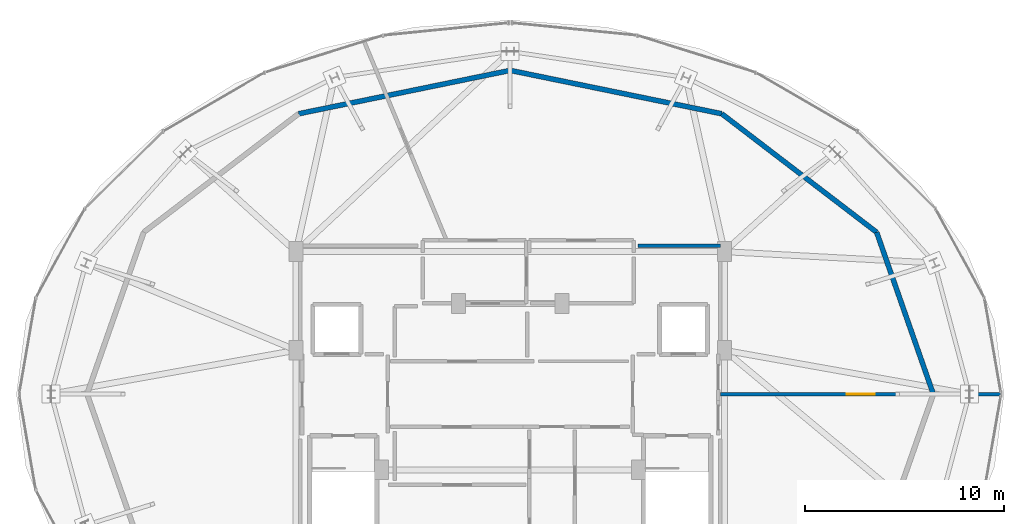
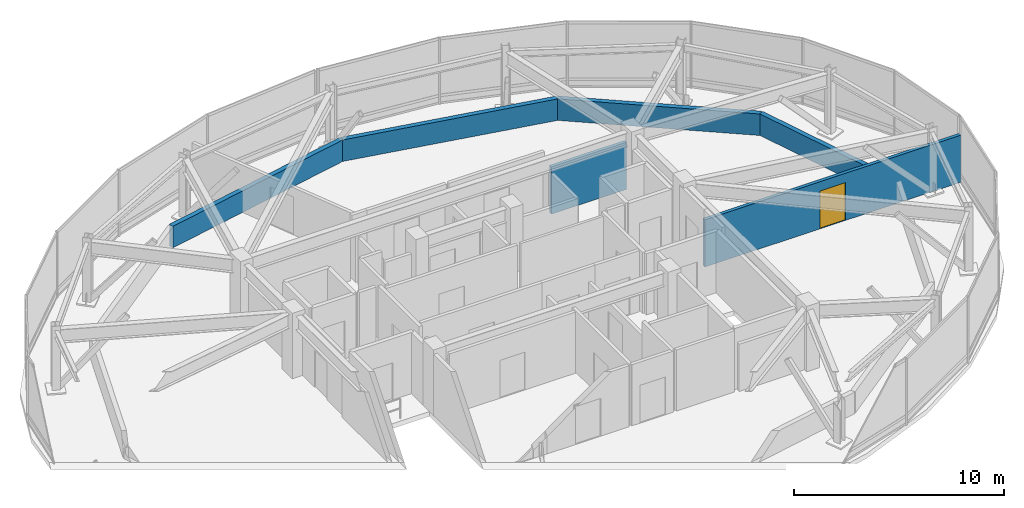
# One storey, part 27 of 28: 6 walls, 1 door, 1 opening.
"""IFC4 building model written with IfcOpenShell, lengths in metres."""

from ifc_helpers import new_model, si_unit, direction, frame, frame_2d, origin, place, context, subcontext, project, spatial, rectangle, extrude, material, layer, layer_set, type_object, element, fill, save


model = new_model("IFC4")

# Units and contexts
model_context = context("Model", 3, precision=1e-05, world=origin(), true_north=direction((0.0, 1.0)))
body_context = subcontext(model_context, "Body", "Model", "MODEL_VIEW")
ifc_project = project(units=[si_unit("LENGTHUNIT", "METRE"), si_unit("AREAUNIT", "SQUARE_METRE"), si_unit("VOLUMEUNIT", "CUBIC_METRE"), si_unit("PLANEANGLEUNIT", "RADIAN"), si_unit("MASSUNIT", "GRAM", prefix="KILO")], contexts=[model_context])

# Site, building, storey
site_placement = place(None, origin())
site = spatial("IfcSite", under=ifc_project, at=site_placement, CompositionType="ELEMENT")
building_placement = place(site_placement, origin())
building = spatial("IfcBuilding", under=site, at=building_placement, Name="Vorneva Point Tower", CompositionType="ELEMENT")
storey_placement = place(building_placement, frame((0.0, 0.0, 295.39990234375)))
storey = spatial("IfcBuildingStorey", under=building, at=storey_placement, Name="C01", CompositionType="ELEMENT", Elevation=295.39990234375)

# Walls
ifc_material_1 = material(Name="Precast concrete B50 (C40/50)", Category="concrete")
ifc_layer_1 = layer(ifc_material_1, 0.25)
ifc_layer_set_1 = layer_set([ifc_layer_1], Name="Precast concrete B50 (C40/50)")
wall_type_1 = type_object("IfcWallType", Name="WL-PAR-250", PredefinedType="PARAPET", material=ifc_layer_set_1)
wall_1_placement = place(storey_placement, frame((59.241943359375, 26.0, 0.0), z_axis=(0.0, 0.0, 1.0), x_axis=(-0.330577790312, 0.943778747669, 0.0)))
element("IfcWall", 1, at=wall_1_placement, inside=storey, type_object=wall_type_1, Name="C01 Crown Maintenance Parapet Ring Wall 01", PredefinedType="PARAPET", context=body_context, shape_type="SweptSolid", body=[
    extrude(rectangle(XDim=8.609130859375, YDim=0.25, at=frame_2d((4.3046875, 0.0))), origin(), (0.0, 0.0, 1.0), 1.25),
])
wall_2_placement = place(storey_placement, frame((56.39599609375, 34.125, 0.0), z_axis=(0.0, 0.0, 1.0), x_axis=(-0.794235350053, 0.607610244092, 0.0)))
element("IfcWall", 2, at=wall_2_placement, inside=storey, type_object=wall_type_1, Name="C01 Crown Maintenance Parapet Ring Wall 02", PredefinedType="PARAPET", context=body_context, shape_type="SweptSolid", body=[
    extrude(rectangle(XDim=9.7890625, YDim=0.25, at=frame_2d((4.89453125, 0.0))), origin(), (0.0, 0.0, 1.0), 1.25),
])
for number, where, z_axis, x_axis, name in (
    (3, (48.62109375, 40.072998046875, 0.0), (0.0, 0.0, 1.0), (-0.979633262956, 0.200795094837, 0.0), "C01 Crown Maintenance Parapet Ring Wall 03"),
    (4, (38.0, 42.25, 0.0), (0.0, 0.0, 1.0), (-0.979633262956, -0.200795094837, 0.0), "C01 Crown Maintenance Parapet Ring Wall 04"),
):
    element("IfcWall", number, at=place(storey_placement, frame(where, z_axis=z_axis, x_axis=x_axis)), inside=storey, type_object=wall_type_1, Name=name, PredefinedType="PARAPET", context=body_context, shape_type="SweptSolid", body=[
        extrude(rectangle(XDim=10.841796875, YDim=0.25, at=frame_2d((5.4208984375, 0.0))), origin(), (0.0, 0.0, 1.0), 1.25),
    ])

# Wall, opening, door
ifc_material_2 = material(Name="Autoclaved aerated concrete blockwork", Category="masonry")
ifc_layer_2 = layer(ifc_material_2, 0.179931640625)
ifc_layer_set_2 = layer_set([ifc_layer_2], Name="Autoclaved aerated concrete blockwork")
wall_type_2 = type_object("IfcWallType", Name="WL-PART-180", PredefinedType="PARTITIONING", material=ifc_layer_set_2)
wall_3_placement = place(storey_placement, frame((48.550048828125, 26.0, 0.0), z_axis=(0.0, 0.0, 1.0), x_axis=(1.0, 0.0, 0.0)))
wall_3 = element("IfcWall", 5, at=wall_3_placement, inside=storey, type_object=wall_type_2, Name="C01 Interior Partition 030", PredefinedType="PARTITIONING", context=body_context, shape_type="SweptSolid", body=[
    extrude(rectangle(XDim=14.0888671875, YDim=0.179931640625, at=frame_2d((7.04443359375, 0.0))), origin(), (0.0, 0.0, 1.0), 2.7421875),
])
opening_placement = place(wall_3_placement, frame((6.344482421875, 0.0, 0.0)))
opening = element("IfcOpeningElement", 6, at=opening_placement, cuts=wall_3, Name="Opening FD-03", PredefinedType="OPENING", context=body_context, shape_type="SweptSolid", body=[
    extrude(rectangle(XDim=1.39990234375, YDim=2.199951171875, at=frame_2d((0.699951171875, 1.10009765625))), frame((0.0, 0.10498046875, 0.0), z_axis=(0.0, -1.0, 0.0), x_axis=(1.0, 0.0, 0.0)), (0.0, 0.0, 1.0), 0.209716796875),
])
ifc_material_3 = material(Name="Fire-rated powder-coated steel", Category="steel")
door_type = type_object("IfcDoorType", Name="DR-PLT-1400", OperationType="DOUBLE_SWING_LEFT", PredefinedType="DOOR", material=ifc_material_3)
door_placement = place(opening_placement, origin())
door = element("IfcDoor", 7, at=door_placement, inside=storey, type_object=door_type, Name="C01 Door Crown Tuned Mass Damper Plant Room / Crown Electrical Switchgear Plant Room", OperationType="DOUBLE_SWING_LEFT", OverallHeight=2.199951171875, OverallWidth=1.39990234375, PredefinedType="DOOR", context=body_context, shape_type="SweptSolid", body=[
    extrude(rectangle(XDim=1.39990234375, YDim=2.199951171875, at=frame_2d((0.699951171875, 1.10009765625))), frame((0.0, 0.02490234375, 0.0), z_axis=(0.0, -1.0, 0.0), x_axis=(1.0, 0.0, 0.0)), (0.0, 0.0, 1.0), 0.050048828125),
])
fill(opening, door)

# Wall
wall_4_placement = place(storey_placement, frame((44.419921875, 33.449951171875, 0.0), z_axis=(0.0, 0.0, 1.0), x_axis=(1.0, 0.0, 0.0)))
element("IfcWall", 8, at=wall_4_placement, inside=storey, type_object=wall_type_2, Name="C01 Interior Closure Partition 042", PredefinedType="PARTITIONING", context=body_context, shape_type="SweptSolid", body=[
    extrude(rectangle(XDim=4.130126953125, YDim=0.179931640625, at=frame_2d((2.06494140625, 0.0))), origin(), (0.0, 0.0, 1.0), 2.7421875),
])

save(model, "model.ifc")
